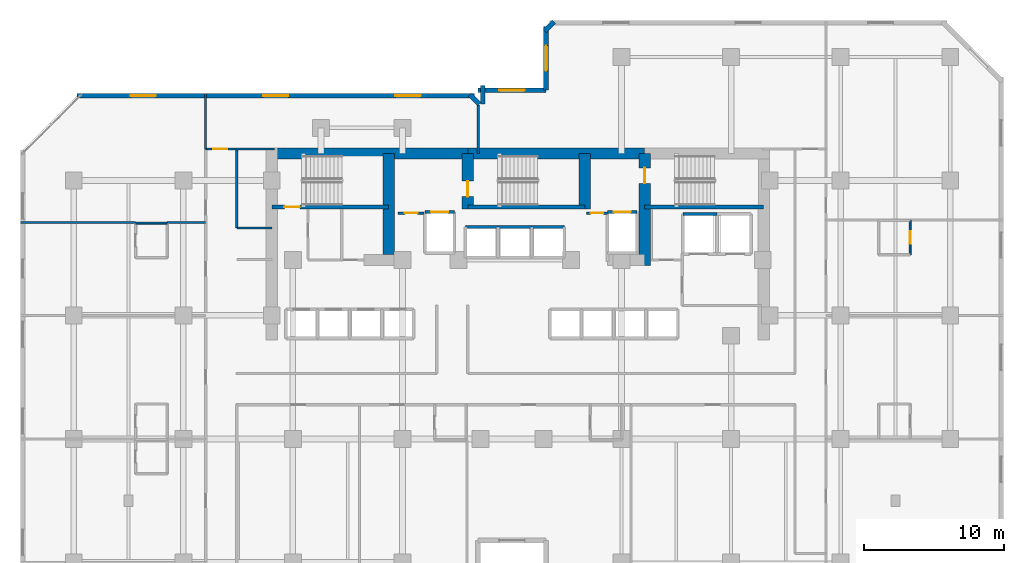
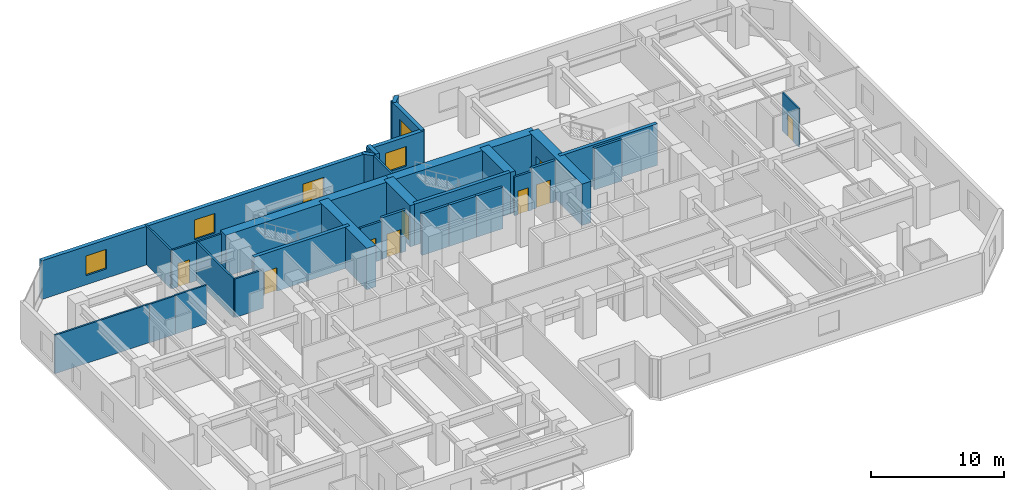
# One storey, part 9 of 12: 32 walls, 9 doors, 5 windows, 14 openings.
"""IFC4 building model written with IfcOpenShell, lengths in metres."""

from ifc_helpers import new_model, si_unit, direction, frame, frame_2d, origin, place, context, subcontext, project, spatial, rectangle, extrude, material, layer, layer_set, type_object, element, fill, save


model = new_model("IFC4")

# Units and contexts
model_context = context("Model", 3, precision=1e-05, world=origin(), true_north=direction((0.0, 1.0)))
body_context = subcontext(model_context, "Body", "Model", "MODEL_VIEW")
ifc_project = project(units=[si_unit("LENGTHUNIT", "METRE"), si_unit("AREAUNIT", "SQUARE_METRE"), si_unit("VOLUMEUNIT", "CUBIC_METRE"), si_unit("PLANEANGLEUNIT", "RADIAN"), si_unit("MASSUNIT", "GRAM", prefix="KILO")], contexts=[model_context])

# Site, building, storey
site_placement = place(None, origin())
site = spatial("IfcSite", under=ifc_project, at=site_placement, CompositionType="ELEMENT")
building_placement = place(site_placement, origin())
building = spatial("IfcBuilding", under=site, at=building_placement, Name="Kestravale Grand Hotel", CompositionType="ELEMENT")
storey_placement = place(building_placement, frame((0.0, 0.0, 99.39990234375)))
storey = spatial("IfcBuildingStorey", under=building, at=storey_placement, Name="L24", CompositionType="ELEMENT", Elevation=99.39990234375)

# Walls
ifc_material_1 = material(Name="Concrete f'c 60 MPa", Category="concrete")
ifc_layer_1 = layer(ifc_material_1, 0.800048828125)
ifc_layer_set_1 = layer_set([ifc_layer_1], Name="EW-CORE-800")
wall_type_1 = type_object("IfcWallType", Name="EW-CORE-800", PredefinedType="SHEAR", material=ifc_layer_set_1)
wall_1_placement = place(storey_placement, frame((21.5, 40.320068359375, 0.0), z_axis=(0.0, 0.0, 1.0), x_axis=(1.0, 0.0, 0.0)))
element("IfcWall", 1, at=wall_1_placement, inside=storey, type_object=wall_type_1, Name="L24 core shear wall N1", PredefinedType="SHEAR", context=body_context, shape_type="SweptSolid", body=[
    extrude(rectangle(XDim=14.35009765625, YDim=0.800048828125, at=frame_2d((7.175048828125, 0.0))), origin(), (0.0, 0.0, 1.0), 3.800048828125),
])
wall_2_placement = place(storey_placement, frame((35.85009765625, 40.320068359375, 0.0), z_axis=(0.0, 0.0, 1.0), x_axis=(1.0, 0.0, 0.0)))
element("IfcWall", 2, at=wall_2_placement, inside=storey, type_object=wall_type_1, Name="L24 core shear wall N2", PredefinedType="SHEAR", context=body_context, shape_type="SweptSolid", body=[
    extrude(rectangle(XDim=12.599853515625, YDim=0.800048828125, at=frame_2d((6.2998046875, 0.0))), origin(), (0.0, 0.0, 1.0), 3.800048828125),
])
wall_3_placement = place(storey_placement, frame((30.219970703125, 33.14990234375, 0.0), z_axis=(0.0, 0.0, 1.0), x_axis=(0.0, 1.0, 0.0)))
element("IfcWall", 3, at=wall_3_placement, inside=storey, type_object=wall_type_1, Name="L24 core shear wall X1", PredefinedType="SHEAR", context=body_context, shape_type="SweptSolid", body=[
    extrude(rectangle(XDim=7.170166015625, YDim=0.800048828125, at=frame_2d((3.5849609375, 0.0))), origin(), (0.0, 0.0, 1.0), 3.800048828125),
])

# Wall, opening, door
wall_4_placement = place(storey_placement, frame((35.85009765625, 36.3701171875, 0.0), z_axis=(0.0, 0.0, 1.0), x_axis=(0.0, 1.0, 0.0)))
wall_4 = element("IfcWall", 4, at=wall_4_placement, inside=storey, type_object=wall_type_1, Name="L24 core shear wall X2", PredefinedType="SHEAR", context=body_context, shape_type="SweptSolid", body=[
    extrude(rectangle(XDim=3.949951171875, YDim=0.800048828125, at=frame_2d((1.97509765625, 0.0))), origin(), (0.0, 0.0, 1.0), 3.800048828125),
])
opening_1_placement = place(wall_4_placement, frame((0.8798828125, 0.0, 0.0)))
opening_1 = element("IfcOpeningElement", 5, at=opening_1_placement, cuts=wall_4, Name="Opening D-ST-1100", PredefinedType="OPENING", context=body_context, shape_type="SweptSolid", body=[
    extrude(rectangle(XDim=1.10009765625, YDim=2.14990234375, at=frame_2d((0.550048828125, 1.074951171875))), frame((0.0, 0.409912109375, 0.0), z_axis=(0.0, -1.0, 0.0), x_axis=(1.0, 0.0, 0.0)), (0.0, 0.0, 1.0), 0.820068359375),
])
ifc_material_2 = material(Name="Galvanised 90-minute fire-rated steel stair door", Category="steel")
door_type_1 = type_object("IfcDoorType", Name="D-ST-1100", OperationType="NOTDEFINED", PredefinedType="DOOR", material=ifc_material_2)
door_1_placement = place(opening_1_placement, origin())
door_1 = element("IfcDoor", 6, at=door_1_placement, inside=storey, type_object=door_type_1, Name="L24 Stair ST-2 FSAE fire door", OperationType="SINGLE_SWING_RIGHT", OverallHeight=2.14990234375, OverallWidth=1.10009765625, PredefinedType="DOOR", context=body_context, shape_type="SweptSolid", body=[
    extrude(rectangle(XDim=1.10009765625, YDim=2.14990234375, at=frame_2d((0.550048828125, 1.074951171875))), frame((0.0, 0.02490234375, 0.0), z_axis=(0.0, -1.0, 0.0), x_axis=(1.0, 0.0, 0.0)), (0.0, 0.0, 1.0), 0.050048828125),
])
fill(opening_1, door_1)

# Wall
wall_5_placement = place(storey_placement, frame((44.179931640625, 36.3701171875, 0.0), z_axis=(0.0, 0.0, 1.0), x_axis=(0.0, 1.0, 0.0)))
element("IfcWall", 7, at=wall_5_placement, inside=storey, type_object=wall_type_1, Name="L24 core shear wall X3", PredefinedType="SHEAR", context=body_context, shape_type="SweptSolid", body=[
    extrude(rectangle(XDim=3.949951171875, YDim=0.800048828125, at=frame_2d((1.97509765625, 0.0))), origin(), (0.0, 0.0, 1.0), 3.800048828125),
])

# Wall, opening, door
wall_6_placement = place(storey_placement, frame((48.449951171875, 32.35009765625, 0.0), z_axis=(0.0, 0.0, 1.0), x_axis=(0.0, 1.0, 0.0)))
wall_6 = element("IfcWall", 8, at=wall_6_placement, inside=storey, type_object=wall_type_1, Name="L24 core shear wall X4", PredefinedType="SHEAR", context=body_context, shape_type="SweptSolid", body=[
    extrude(rectangle(XDim=7.969970703125, YDim=0.800048828125, at=frame_2d((3.98486328125, 0.0))), origin(), (0.0, 0.0, 1.0), 3.800048828125),
])
opening_2_placement = place(wall_6_placement, frame((5.85009765625, 0.0, 0.0)))
opening_2 = element("IfcOpeningElement", 9, at=opening_2_placement, cuts=wall_6, Name="Opening D-ST-1100", PredefinedType="OPENING", context=body_context, shape_type="SweptSolid", body=[
    extrude(rectangle(XDim=1.10009765625, YDim=2.14990234375, at=frame_2d((0.550048828125, 1.074951171875))), frame((0.0, 0.409912109375, 0.0), z_axis=(0.0, -1.0, 0.0), x_axis=(1.0, 0.0, 0.0)), (0.0, 0.0, 1.0), 0.820068359375),
])
door_2_placement = place(opening_2_placement, origin())
door_2 = element("IfcDoor", 10, at=door_2_placement, inside=storey, type_object=door_type_1, Name="L24 Stair ST-3 FSAE fire door", OperationType="SINGLE_SWING_RIGHT", OverallHeight=2.14990234375, OverallWidth=1.10009765625, PredefinedType="DOOR", context=body_context, shape_type="SweptSolid", body=[
    extrude(rectangle(XDim=1.10009765625, YDim=2.14990234375, at=frame_2d((0.550048828125, 1.074951171875))), frame((0.0, 0.02490234375, 0.0), z_axis=(0.0, -1.0, 0.0), x_axis=(1.0, 0.0, 0.0)), (0.0, 0.0, 1.0), 0.050048828125),
])
fill(opening_2, door_2)

# Wall
ifc_material_3 = material(Name="Precast concrete f'c 45 MPa", Category="concrete")
ifc_layer_2 = layer(ifc_material_3, 0.340087890625)
ifc_layer_set_2 = layer_set([ifc_layer_2], Name="EW-PREC-340")
wall_type_2 = type_object("IfcWallType", Name="EW-PREC-340", PredefinedType="SOLIDWALL", material=ifc_layer_set_2)
wall_7_placement = place(storey_placement, frame((41.99853515625, 49.7080078125, 0.0), z_axis=(0.0, 0.0, 1.0), x_axis=(-0.707238225886, -0.706975312048, 0.0)))
element("IfcWall", 11, at=wall_7_placement, inside=storey, type_object=wall_type_2, Name="L24 fluted precast facade wall 12", PredefinedType="SOLIDWALL", context=body_context, shape_type="SweptSolid", body=[
    extrude(rectangle(XDim=0.9287109375, YDim=0.340087890625, at=frame_2d((0.46435546875, 0.0))), origin(), (0.0, 0.0, 1.0), 3.5400390625),
])

# Wall, opening, window
wall_8_placement = place(storey_placement, frame((41.419921875, 49.3701171875, 0.0), z_axis=(0.0, 0.0, 1.0), x_axis=(0.0, -1.0, 0.0)))
wall_8 = element("IfcWall", 12, at=wall_8_placement, inside=storey, type_object=wall_type_2, Name="L24 fluted precast facade wall 13", PredefinedType="SOLIDWALL", context=body_context, shape_type="SweptSolid", body=[
    extrude(rectangle(XDim=4.5400390625, YDim=0.340087890625, at=frame_2d((2.27001953125, 0.0))), origin(), (0.0, 0.0, 1.0), 3.5400390625),
])
opening_3_placement = place(wall_8_placement, frame((1.3701171875, 0.0, 0.85009765625)))
opening_3 = element("IfcOpeningElement", 13, at=opening_3_placement, cuts=wall_8, Name="Opening W-GUEST-1800", PredefinedType="OPENING", context=body_context, shape_type="SweptSolid", body=[
    extrude(rectangle(XDim=1.800048828125, YDim=1.800048828125, at=frame_2d((0.89990234375, 0.89990234375))), frame((0.0, 0.179931640625, 0.0), z_axis=(0.0, -1.0, 0.0), x_axis=(1.0, 0.0, 0.0)), (0.0, 0.0, 1.0), 0.360107421875),
])
ifc_material_4 = material(Name="Insulated low-E double glazing in aluminium frame", Category="aluminium")
window_type = type_object("IfcWindowType", Name="W-GUEST-1800", PartitioningType="DOUBLE_PANEL_VERTICAL", PredefinedType="WINDOW", material=ifc_material_4)
window_1_placement = place(opening_3_placement, origin())
window_1 = element("IfcWindow", 14, at=window_1_placement, inside=storey, type_object=window_type, Name="L24 exterior window 13.1", OverallHeight=1.800048828125, OverallWidth=1.800048828125, PartitioningType="SINGLE_PANEL", PredefinedType="WINDOW", context=body_context, shape_type="SweptSolid", body=[
    extrude(rectangle(XDim=1.800048828125, YDim=1.800048828125, at=frame_2d((0.89990234375, 0.89990234375))), frame((0.0, 0.030029296875, 0.0), z_axis=(0.0, -1.0, 0.0), x_axis=(1.0, 0.0, 0.0)), (0.0, 0.0, 1.0), 0.06005859375),
])
fill(opening_3, window_1)

wall_9_placement = place(storey_placement, frame((41.419921875, 44.830078125, 0.0), z_axis=(0.0, 0.0, 1.0), x_axis=(-1.0, 0.0, 0.0)))
wall_9 = element("IfcWall", 15, at=wall_9_placement, inside=storey, type_object=wall_type_2, Name="L24 fluted precast facade wall 14", PredefinedType="SOLIDWALL", context=body_context, shape_type="SweptSolid", body=[
    extrude(rectangle(XDim=4.83984375, YDim=0.340087890625, at=frame_2d((2.419921875, 0.0))), origin(), (0.0, 0.0, 1.0), 3.5400390625),
])
opening_4_placement = place(wall_9_placement, frame((1.52001953125, 0.0, 0.85009765625)))
opening_4 = element("IfcOpeningElement", 16, at=opening_4_placement, cuts=wall_9, Name="Opening W-GUEST-1800", PredefinedType="OPENING", context=body_context, shape_type="SweptSolid", body=[
    extrude(rectangle(XDim=1.800048828125, YDim=1.800048828125, at=frame_2d((0.89990234375, 0.89990234375))), frame((0.0, 0.179931640625, 0.0), z_axis=(0.0, -1.0, 0.0), x_axis=(1.0, 0.0, 0.0)), (0.0, 0.0, 1.0), 0.360107421875),
])
window_2_placement = place(opening_4_placement, origin())
window_2 = element("IfcWindow", 17, at=window_2_placement, inside=storey, type_object=window_type, Name="L24 exterior window 14.1", OverallHeight=1.800048828125, OverallWidth=1.800048828125, PartitioningType="SINGLE_PANEL", PredefinedType="WINDOW", context=body_context, shape_type="SweptSolid", body=[
    extrude(rectangle(XDim=1.800048828125, YDim=1.800048828125, at=frame_2d((0.89990234375, 0.89990234375))), frame((0.0, 0.030029296875, 0.0), z_axis=(0.0, -1.0, 0.0), x_axis=(1.0, 0.0, 0.0)), (0.0, 0.0, 1.0), 0.06005859375),
])
fill(opening_4, window_2)

# Walls
wall_10_placement = place(storey_placement, frame((36.919921875, 45.169921875, 0.0), z_axis=(0.0, 0.0, 1.0), x_axis=(0.0, -1.0, 0.0)))
element("IfcWall", 18, at=wall_10_placement, inside=storey, type_object=wall_type_2, Name="L24 fluted precast facade wall 15", PredefinedType="SOLIDWALL", context=body_context, shape_type="SweptSolid", body=[
    extrude(rectangle(XDim=1.33984375, YDim=0.340087890625, at=frame_2d((0.669921875, 0.0))), origin(), (0.0, 0.0, 1.0), 3.5400390625),
])
wall_11_placement = place(storey_placement, frame((36.658203125, 43.8515625, 0.0), z_axis=(0.0, 0.0, 1.0), x_axis=(-0.707238225886, 0.706975312048, 0.0)))
element("IfcWall", 19, at=wall_11_placement, inside=storey, type_object=wall_type_2, Name="L24 fluted precast facade wall 16", PredefinedType="SOLIDWALL", context=body_context, shape_type="SweptSolid", body=[
    extrude(rectangle(XDim=0.9287109375, YDim=0.340087890625, at=frame_2d((0.46435546875, 0.0))), origin(), (0.0, 0.0, 1.0), 3.5400390625),
])

# Wall, openings, windows
wall_12_placement = place(storey_placement, frame((36.320068359375, 44.429931640625, 0.0), z_axis=(0.0, 0.0, 1.0), x_axis=(-1.0, 0.0, 0.0)))
wall_12 = element("IfcWall", 20, at=wall_12_placement, inside=storey, type_object=wall_type_2, Name="L24 fluted precast facade wall 17", PredefinedType="SOLIDWALL", context=body_context, shape_type="SweptSolid", body=[
    extrude(rectangle(XDim=28.2900390625, YDim=0.340087890625, at=frame_2d((14.14501953125, 0.0))), origin(), (0.0, 0.0, 1.0), 3.5400390625),
])
opening_5_placement = place(wall_12_placement, frame((3.81494140625, 0.0, 0.85009765625)))
opening_5 = element("IfcOpeningElement", 21, at=opening_5_placement, cuts=wall_12, Name="Opening W-GUEST-1800", PredefinedType="OPENING", context=body_context, shape_type="SweptSolid", body=[
    extrude(rectangle(XDim=1.800048828125, YDim=1.800048828125, at=frame_2d((0.89990234375, 0.89990234375))), frame((0.0, 0.179931640625, 0.0), z_axis=(0.0, -1.0, 0.0), x_axis=(1.0, 0.0, 0.0)), (0.0, 0.0, 1.0), 0.360107421875),
])
opening_6_placement = place(wall_12_placement, frame((13.2451171875, 0.0, 0.85009765625)))
opening_6 = element("IfcOpeningElement", 22, at=opening_6_placement, cuts=wall_12, Name="Opening W-GUEST-1800", PredefinedType="OPENING", context=body_context, shape_type="SweptSolid", body=[
    extrude(rectangle(XDim=1.800048828125, YDim=1.800048828125, at=frame_2d((0.89990234375, 0.89990234375))), frame((0.0, 0.179931640625, 0.0), z_axis=(0.0, -1.0, 0.0), x_axis=(1.0, 0.0, 0.0)), (0.0, 0.0, 1.0), 0.360107421875),
])
opening_7_placement = place(wall_12_placement, frame((22.675048828125, 0.0, 0.85009765625)))
opening_7 = element("IfcOpeningElement", 23, at=opening_7_placement, cuts=wall_12, Name="Opening W-GUEST-1800", PredefinedType="OPENING", context=body_context, shape_type="SweptSolid", body=[
    extrude(rectangle(XDim=1.800048828125, YDim=1.800048828125, at=frame_2d((0.89990234375, 0.89990234375))), frame((0.0, 0.179931640625, 0.0), z_axis=(0.0, -1.0, 0.0), x_axis=(1.0, 0.0, 0.0)), (0.0, 0.0, 1.0), 0.360107421875),
])
window_3_placement = place(opening_5_placement, origin())
window_3 = element("IfcWindow", 24, at=window_3_placement, inside=storey, type_object=window_type, Name="L24 exterior window 17.1", OverallHeight=1.800048828125, OverallWidth=1.800048828125, PartitioningType="SINGLE_PANEL", PredefinedType="WINDOW", context=body_context, shape_type="SweptSolid", body=[
    extrude(rectangle(XDim=1.800048828125, YDim=1.800048828125, at=frame_2d((0.89990234375, 0.89990234375))), frame((0.0, 0.030029296875, 0.0), z_axis=(0.0, -1.0, 0.0), x_axis=(1.0, 0.0, 0.0)), (0.0, 0.0, 1.0), 0.06005859375),
])
fill(opening_5, window_3)
window_4_placement = place(opening_6_placement, origin())
window_4 = element("IfcWindow", 25, at=window_4_placement, inside=storey, type_object=window_type, Name="L24 exterior window 17.2", OverallHeight=1.800048828125, OverallWidth=1.800048828125, PartitioningType="SINGLE_PANEL", PredefinedType="WINDOW", context=body_context, shape_type="SweptSolid", body=[
    extrude(rectangle(XDim=1.800048828125, YDim=1.800048828125, at=frame_2d((0.89990234375, 0.89990234375))), frame((0.0, 0.030029296875, 0.0), z_axis=(0.0, -1.0, 0.0), x_axis=(1.0, 0.0, 0.0)), (0.0, 0.0, 1.0), 0.06005859375),
])
fill(opening_6, window_4)
window_5_placement = place(opening_7_placement, origin())
window_5 = element("IfcWindow", 26, at=window_5_placement, inside=storey, type_object=window_type, Name="L24 exterior window 17.3", OverallHeight=1.800048828125, OverallWidth=1.800048828125, PartitioningType="SINGLE_PANEL", PredefinedType="WINDOW", context=body_context, shape_type="SweptSolid", body=[
    extrude(rectangle(XDim=1.800048828125, YDim=1.800048828125, at=frame_2d((0.89990234375, 0.89990234375))), frame((0.0, 0.030029296875, 0.0), z_axis=(0.0, -1.0, 0.0), x_axis=(1.0, 0.0, 0.0)), (0.0, 0.0, 1.0), 0.06005859375),
])
fill(opening_7, window_5)

# Wall, opening, door
ifc_material_5 = material(Name="Concrete f'c 45 MPa", Category="concrete")
ifc_layer_3 = layer(ifc_material_5, 0.300048828125)
ifc_layer_set_3 = layer_set([ifc_layer_3], Name="EW-STAIR-300")
wall_type_3 = type_object("IfcWallType", Name="EW-STAIR-300", PredefinedType="SHEAR", material=ifc_layer_set_3)
wall_13_placement = place(storey_placement, frame((21.89990234375, 36.52001953125, 0.0), z_axis=(0.0, 0.0, 1.0), x_axis=(1.0, 0.0, 0.0)))
wall_13 = element("IfcWall", 27, at=wall_13_placement, inside=storey, type_object=wall_type_3, Name="L24 stair enclosure shear wall SST1", PredefinedType="SHEAR", context=body_context, shape_type="SweptSolid", body=[
    extrude(rectangle(XDim=8.320068359375, YDim=0.300048828125, at=frame_2d((4.16015625, 0.0))), origin(), (0.0, 0.0, 1.0), 3.800048828125),
])
opening_8_placement = place(wall_13_placement, frame((0.89990234375, 0.0, 0.0)))
opening_8 = element("IfcOpeningElement", 28, at=opening_8_placement, cuts=wall_13, Name="Opening D-ST-1100", PredefinedType="OPENING", context=body_context, shape_type="SweptSolid", body=[
    extrude(rectangle(XDim=1.10009765625, YDim=2.14990234375, at=frame_2d((0.550048828125, 1.074951171875))), frame((0.0, 0.159912109375, 0.0), z_axis=(0.0, -1.0, 0.0), x_axis=(1.0, 0.0, 0.0)), (0.0, 0.0, 1.0), 0.320068359375),
])
door_3_placement = place(opening_8_placement, origin())
door_3 = element("IfcDoor", 29, at=door_3_placement, inside=storey, type_object=door_type_1, Name="L24 Stair ST-1 fire door", OperationType="SINGLE_SWING_RIGHT", OverallHeight=2.14990234375, OverallWidth=1.10009765625, PredefinedType="DOOR", context=body_context, shape_type="SweptSolid", body=[
    extrude(rectangle(XDim=1.10009765625, YDim=2.14990234375, at=frame_2d((0.550048828125, 1.074951171875))), frame((0.0, 0.02490234375, 0.0), z_axis=(0.0, -1.0, 0.0), x_axis=(1.0, 0.0, 0.0)), (0.0, 0.0, 1.0), 0.050048828125),
])
fill(opening_8, door_3)

# Walls
wall_14_placement = place(storey_placement, frame((35.85009765625, 36.52001953125, 0.0), z_axis=(0.0, 0.0, 1.0), x_axis=(1.0, 0.0, 0.0)))
element("IfcWall", 30, at=wall_14_placement, inside=storey, type_object=wall_type_3, Name="L24 stair enclosure shear wall SST2", PredefinedType="SHEAR", context=body_context, shape_type="SweptSolid", body=[
    extrude(rectangle(XDim=8.329833984375, YDim=0.300048828125, at=frame_2d((4.1650390625, 0.0))), origin(), (0.0, 0.0, 1.0), 3.800048828125),
])
wall_15_placement = place(storey_placement, frame((48.449951171875, 36.52001953125, 0.0), z_axis=(0.0, 0.0, 1.0), x_axis=(1.0, 0.0, 0.0)))
element("IfcWall", 31, at=wall_15_placement, inside=storey, type_object=wall_type_3, Name="L24 stair enclosure shear wall SST3", PredefinedType="SHEAR", context=body_context, shape_type="SweptSolid", body=[
    extrude(rectangle(XDim=8.469970703125, YDim=0.300048828125, at=frame_2d((4.23486328125, 0.0))), origin(), (0.0, 0.0, 1.0), 3.800048828125),
])
ifc_material_6 = material(Name="Acoustic fire-rated gypsum board partition", Category="other")
ifc_layer_4 = layer(ifc_material_6, 0.159912109375)
ifc_layer_set_4 = layer_set([ifc_layer_4], Name="IW-CORR-160")
wall_type_4 = type_object("IfcWallType", Name="IW-CORR-160", PredefinedType="PARTITIONING", material=ifc_layer_set_4)
wall_16_placement = place(storey_placement, frame((19.409912109375, 35.02001953125, 0.0), z_axis=(0.0, 0.0, 1.0), x_axis=(0.0, 1.0, 0.0)))
element("IfcWall", 32, at=wall_16_placement, inside=storey, type_object=wall_type_4, Name="W-L24-SW-EN", PredefinedType="PARTITIONING", context=body_context, shape_type="SweptSolid", body=[
    extrude(rectangle(XDim=5.6298828125, YDim=0.159912109375, at=frame_2d((2.81494140625, 0.0))), origin(), (0.0, 0.0, 1.0), 3.5400390625),
])
wall_17_placement = place(storey_placement, frame((19.409912109375, 35.02001953125, 0.0), z_axis=(0.0, 0.0, 1.0), x_axis=(1.0, 0.0, 0.0)))
element("IfcWall", 33, at=wall_17_placement, inside=storey, type_object=wall_type_4, Name="W-L24-SW-CN", PredefinedType="PARTITIONING", context=body_context, shape_type="SweptSolid", body=[
    extrude(rectangle(XDim=2.489990234375, YDim=0.159912109375, at=frame_2d((1.2451171875, 0.0))), origin(), (0.0, 0.0, 1.0), 3.5400390625),
])

# Wall, opening, door
ifc_material_7 = material(Name="Fire-rated gypsum board on steel studs with mineral wool", Category="steel")
ifc_layer_5 = layer(ifc_material_7, 0.179931640625)
ifc_layer_set_5 = layer_set([ifc_layer_5], Name="IW-FSAE-180")
wall_type_5 = type_object("IfcWallType", Name="IW-FSAE-180", PredefinedType="PARTITIONING", material=ifc_layer_set_5)
wall_18_placement = place(storey_placement, frame((30.89990234375, 36.080078125, 0.0), z_axis=(0.0, 0.0, 1.0), x_axis=(1.0, 0.0, 0.0)))
wall_18 = element("IfcWall", 34, at=wall_18_placement, inside=storey, type_object=wall_type_5, Name="L24 FSAE Lobby 1 smoke barrier", PredefinedType="PARTITIONING", context=body_context, shape_type="SweptSolid", body=[
    extrude(rectangle(XDim=1.85009765625, YDim=0.179931640625, at=frame_2d((0.925048828125, 0.0))), origin(), (0.0, 0.0, 1.0), 3.5400390625),
])
opening_9_placement = place(wall_18_placement, frame((0.47998046875, 0.0, 0.0)))
opening_9 = element("IfcOpeningElement", 35, at=opening_9_placement, cuts=wall_18, Name="Opening D-FSAE-1000", PredefinedType="OPENING", context=body_context, shape_type="SweptSolid", body=[
    extrude(rectangle(XDim=0.89990234375, YDim=2.14990234375, at=frame_2d((0.449951171875, 1.074951171875))), frame((0.0, 0.099853515625, 0.0), z_axis=(0.0, -1.0, 0.0), x_axis=(1.0, 0.0, 0.0)), (0.0, 0.0, 1.0), 0.199951171875),
])
ifc_material_8 = material(Name="Smoke-gasketed FSAE lobby fire door", Category="steel")
door_type_2 = type_object("IfcDoorType", Name="D-FSAE-1000", OperationType="NOTDEFINED", PredefinedType="DOOR", material=ifc_material_8)
door_4_placement = place(opening_9_placement, origin())
door_4 = element("IfcDoor", 36, at=door_4_placement, inside=storey, type_object=door_type_2, Name="L24 FSAE Lobby 1 fire door", OperationType="SINGLE_SWING_RIGHT", OverallHeight=2.14990234375, OverallWidth=0.89990234375, PredefinedType="DOOR", context=body_context, shape_type="SweptSolid", body=[
    extrude(rectangle(XDim=0.89990234375, YDim=2.14990234375, at=frame_2d((0.449951171875, 1.074951171875))), frame((0.0, 0.02490234375, 0.0), z_axis=(0.0, -1.0, 0.0), x_axis=(1.0, 0.0, 0.0)), (0.0, 0.0, 1.0), 0.050048828125),
])
fill(opening_9, door_4)

wall_19_placement = place(storey_placement, frame((44.300048828125, 36.080078125, 0.0), z_axis=(0.0, 0.0, 1.0), x_axis=(1.0, 0.0, 0.0)))
wall_19 = element("IfcWall", 37, at=wall_19_placement, inside=storey, type_object=wall_type_5, Name="L24 FSAE Lobby 2 smoke barrier", PredefinedType="PARTITIONING", context=body_context, shape_type="SweptSolid", body=[
    extrude(rectangle(XDim=1.5, YDim=0.179931640625, at=frame_2d((0.75, 0.0))), origin(), (0.0, 0.0, 1.0), 3.5400390625),
])
opening_10_placement = place(wall_19_placement, frame((0.300048828125, 0.0, 0.0)))
opening_10 = element("IfcOpeningElement", 38, at=opening_10_placement, cuts=wall_19, Name="Opening D-FSAE-1000", PredefinedType="OPENING", context=body_context, shape_type="SweptSolid", body=[
    extrude(rectangle(XDim=0.89990234375, YDim=2.14990234375, at=frame_2d((0.449951171875, 1.074951171875))), frame((0.0, 0.099853515625, 0.0), z_axis=(0.0, -1.0, 0.0), x_axis=(1.0, 0.0, 0.0)), (0.0, 0.0, 1.0), 0.199951171875),
])
door_5_placement = place(opening_10_placement, origin())
door_5 = element("IfcDoor", 39, at=door_5_placement, inside=storey, type_object=door_type_2, Name="L24 FSAE Lobby 2 fire door", OperationType="SINGLE_SWING_LEFT", OverallHeight=2.14990234375, OverallWidth=0.89990234375, PredefinedType="DOOR", context=body_context, shape_type="SweptSolid", body=[
    extrude(rectangle(XDim=0.89990234375, YDim=2.14990234375, at=frame_2d((0.449951171875, 1.074951171875))), frame((0.0, 0.02490234375, 0.0), z_axis=(0.0, -1.0, 0.0), x_axis=(1.0, 0.0, 0.0)), (0.0, 0.0, 1.0), 0.050048828125),
])
fill(opening_10, door_5)

# Wall
ifc_material_9 = material(Name="Moisture-resistant tile-backer plumbing chase wall", Category="other")
ifc_layer_6 = layer(ifc_material_9, 0.139892578125)
ifc_layer_set_6 = layer_set([ifc_layer_6], Name="IW-PLB-140")
wall_type_6 = type_object("IfcWallType", Name="IW-PLB-140", PredefinedType="PLUMBINGWALL", material=ifc_layer_set_6)
wall_20_placement = place(storey_placement, frame((12.199951171875, 35.360107421875, 0.0), z_axis=(0.0, 0.0, 1.0), x_axis=(1.0, 0.0, 0.0)))
element("IfcWall", 40, at=wall_20_placement, inside=storey, type_object=wall_type_6, Name="W-L24-U06-BN", PredefinedType="PLUMBINGWALL", context=body_context, shape_type="SweptSolid", body=[
    extrude(rectangle(XDim=2.25, YDim=0.139892578125, at=frame_2d((1.125, 0.0))), origin(), (0.0, 0.0, 1.0), 3.5400390625),
])

# Wall, opening, door
wall_21_placement = place(storey_placement, frame((67.35009765625, 33.110107421875, 0.0), z_axis=(0.0, 0.0, 1.0), x_axis=(0.0, 1.0, 0.0)))
wall_21 = element("IfcWall", 41, at=wall_21_placement, inside=storey, type_object=wall_type_6, Name="W-L24-U09-BE", PredefinedType="PLUMBINGWALL", context=body_context, shape_type="SweptSolid", body=[
    extrude(rectangle(XDim=2.449951171875, YDim=0.139892578125, at=frame_2d((1.22509765625, 0.0))), origin(), (0.0, 0.0, 1.0), 3.5400390625),
])
opening_11_placement = place(wall_21_placement, frame((0.784912109375, 0.0, 0.0)))
opening_11 = element("IfcOpeningElement", 42, at=opening_11_placement, cuts=wall_21, Name="Opening D-BATH-880", PredefinedType="OPENING", context=body_context, shape_type="SweptSolid", body=[
    extrude(rectangle(XDim=0.8798828125, YDim=2.050048828125, at=frame_2d((0.43994140625, 1.02490234375))), frame((0.0, 0.079833984375, 0.0), z_axis=(0.0, -1.0, 0.0), x_axis=(1.0, 0.0, 0.0)), (0.0, 0.0, 1.0), 0.159912109375),
])
ifc_material_10 = material(Name="Moisture-sealed walnut en-suite bathroom door", Category="wood")
door_type_3 = type_object("IfcDoorType", Name="D-BATH-880", OperationType="NOTDEFINED", PredefinedType="DOOR", material=ifc_material_10)
door_6_placement = place(opening_11_placement, origin())
door_6 = element("IfcDoor", 43, at=door_6_placement, inside=storey, type_object=door_type_3, Name="D-L24-U09-BATH", OperationType="SINGLE_SWING_RIGHT", OverallHeight=2.050048828125, OverallWidth=0.8798828125, PredefinedType="DOOR", context=body_context, shape_type="SweptSolid", body=[
    extrude(rectangle(XDim=0.8798828125, YDim=2.050048828125, at=frame_2d((0.43994140625, 1.02490234375))), frame((0.0, 0.02490234375, 0.0), z_axis=(0.0, -1.0, 0.0), x_axis=(1.0, 0.0, 0.0)), (0.0, 0.0, 1.0), 0.050048828125),
])
fill(opening_11, door_6)

# Walls
ifc_material_11 = material(Name="Concrete f'c 45 MPa", Category="concrete")
ifc_layer_7 = layer(ifc_material_11, 0.219970703125)
ifc_layer_set_7 = layer_set([ifc_layer_7], Name="IW-SHAFT-220")
wall_type_7 = type_object("IfcWallType", Name="IW-SHAFT-220", PredefinedType="SHEAR", material=ifc_layer_set_7)
wall_22_placement = place(storey_placement, frame((35.679931640625, 35.080078125, 0.0), z_axis=(0.0, 0.0, 1.0), x_axis=(1.0, 0.0, 0.0)))
element("IfcWall", 44, at=wall_22_placement, inside=storey, type_object=wall_type_7, Name="L24 PL-X1 north shaft wall", PredefinedType="SHEAR", context=body_context, shape_type="SweptSolid", body=[
    extrude(rectangle(XDim=2.320068359375, YDim=0.219970703125, at=frame_2d((1.16015625, 0.0))), origin(), (0.0, 0.0, 1.0), 3.800048828125),
])
wall_23_placement = place(storey_placement, frame((38.0, 35.080078125, 0.0), z_axis=(0.0, 0.0, 1.0), x_axis=(1.0, 0.0, 0.0)))
element("IfcWall", 45, at=wall_23_placement, inside=storey, type_object=wall_type_7, Name="L24 PL-X2 north shaft wall", PredefinedType="SHEAR", context=body_context, shape_type="SweptSolid", body=[
    extrude(rectangle(XDim=2.39990234375, YDim=0.219970703125, at=frame_2d((1.199951171875, 0.0))), origin(), (0.0, 0.0, 1.0), 3.800048828125),
])
wall_24_placement = place(storey_placement, frame((40.39990234375, 35.080078125, 0.0), z_axis=(0.0, 0.0, 1.0), x_axis=(1.0, 0.0, 0.0)))
element("IfcWall", 46, at=wall_24_placement, inside=storey, type_object=wall_type_7, Name="L24 PL-X3 north shaft wall", PredefinedType="SHEAR", context=body_context, shape_type="SweptSolid", body=[
    extrude(rectangle(XDim=2.320068359375, YDim=0.219970703125, at=frame_2d((1.16015625, 0.0))), origin(), (0.0, 0.0, 1.0), 3.800048828125),
])
wall_25_placement = place(storey_placement, frame((51.179931640625, 36.030029296875, 0.0), z_axis=(0.0, 0.0, 1.0), x_axis=(1.0, 0.0, 0.0)))
element("IfcWall", 47, at=wall_25_placement, inside=storey, type_object=wall_type_7, Name="L24 SL-1 north shaft wall", PredefinedType="SHEAR", context=body_context, shape_type="SweptSolid", body=[
    extrude(rectangle(XDim=2.420166015625, YDim=0.219970703125, at=frame_2d((1.2099609375, 0.0))), origin(), (0.0, 0.0, 1.0), 3.800048828125),
])

# Wall, opening, door
wall_26_placement = place(storey_placement, frame((32.804931640625, 36.155029296875, 0.0), z_axis=(0.0, 0.0, 1.0), x_axis=(1.0, 0.0, 0.0)))
wall_26 = element("IfcWall", 48, at=wall_26_placement, inside=storey, type_object=wall_type_7, Name="L24 FL-1 north shaft wall", PredefinedType="SHEAR", context=body_context, shape_type="SweptSolid", body=[
    extrude(rectangle(XDim=2.090087890625, YDim=0.219970703125, at=frame_2d((1.044921875, 0.0))), origin(), (0.0, 0.0, 1.0), 3.800048828125),
])
opening_12_placement = place(wall_26_placement, frame((0.445068359375, 0.0, 0.0)))
opening_12 = element("IfcOpeningElement", 49, at=opening_12_placement, cuts=wall_26, Name="Opening LD-FSAE-1200", PredefinedType="OPENING", context=body_context, shape_type="SweptSolid", body=[
    extrude(rectangle(XDim=1.199951171875, YDim=2.14990234375, at=frame_2d((0.60009765625, 1.074951171875))), frame((0.0, 0.119873046875, 0.0), z_axis=(0.0, -1.0, 0.0), x_axis=(1.0, 0.0, 0.0)), (0.0, 0.0, 1.0), 0.239990234375),
])
ifc_material_12 = material(Name="Stainless fire-service sliding elevator landing door", Category="steel")
door_type_4 = type_object("IfcDoorType", Name="LD-FSAE-1200", OperationType="NOTDEFINED", PredefinedType="DOOR", material=ifc_material_12)
door_7_placement = place(opening_12_placement, origin())
door_7 = element("IfcDoor", 50, at=door_7_placement, inside=storey, type_object=door_type_4, Name="L24 FL-1 elevator landing sliding door", OperationType="DOUBLE_DOOR_SLIDING", OverallHeight=2.14990234375, OverallWidth=1.199951171875, PredefinedType="DOOR", context=body_context, shape_type="SweptSolid", body=[
    extrude(rectangle(XDim=1.199951171875, YDim=2.14990234375, at=frame_2d((0.60009765625, 1.074951171875))), frame((0.0, 0.02490234375, 0.0), z_axis=(0.0, -1.0, 0.0), x_axis=(1.0, 0.0, 0.0)), (0.0, 0.0, 1.0), 0.050048828125),
])
fill(opening_12, door_7)

wall_27_placement = place(storey_placement, frame((45.804931640625, 36.155029296875, 0.0), z_axis=(0.0, 0.0, 1.0), x_axis=(1.0, 0.0, 0.0)))
wall_27 = element("IfcWall", 51, at=wall_27_placement, inside=storey, type_object=wall_type_7, Name="L24 FL-2 north shaft wall", PredefinedType="SHEAR", context=body_context, shape_type="SweptSolid", body=[
    extrude(rectangle(XDim=2.090087890625, YDim=0.219970703125, at=frame_2d((1.044921875, 0.0))), origin(), (0.0, 0.0, 1.0), 3.800048828125),
])
opening_13_placement = place(wall_27_placement, frame((0.445068359375, 0.0, 0.0)))
opening_13 = element("IfcOpeningElement", 52, at=opening_13_placement, cuts=wall_27, Name="Opening LD-FSAE-1200", PredefinedType="OPENING", context=body_context, shape_type="SweptSolid", body=[
    extrude(rectangle(XDim=1.199951171875, YDim=2.14990234375, at=frame_2d((0.60009765625, 1.074951171875))), frame((0.0, 0.119873046875, 0.0), z_axis=(0.0, -1.0, 0.0), x_axis=(1.0, 0.0, 0.0)), (0.0, 0.0, 1.0), 0.239990234375),
])
door_8_placement = place(opening_13_placement, origin())
door_8 = element("IfcDoor", 53, at=door_8_placement, inside=storey, type_object=door_type_4, Name="L24 FL-2 elevator landing sliding door", OperationType="DOUBLE_DOOR_SLIDING", OverallHeight=2.14990234375, OverallWidth=1.199951171875, PredefinedType="DOOR", context=body_context, shape_type="SweptSolid", body=[
    extrude(rectangle(XDim=1.199951171875, YDim=2.14990234375, at=frame_2d((0.60009765625, 1.074951171875))), frame((0.0, 0.02490234375, 0.0), z_axis=(0.0, -1.0, 0.0), x_axis=(1.0, 0.0, 0.0)), (0.0, 0.0, 1.0), 0.050048828125),
])
fill(opening_13, door_8)

ifc_material_13 = material(Name="Double-stud STC 52 acoustic demising partition", Category="other")
ifc_layer_8 = layer(ifc_material_13, 0.14990234375)
ifc_layer_set_8 = layer_set([ifc_layer_8], Name="IW-UNIT-150")
wall_type_8 = type_object("IfcWallType", Name="IW-UNIT-150", PredefinedType="PARTITIONING", material=ifc_layer_set_8)
wall_28_placement = place(storey_placement, frame((17.18994140625, 40.64990234375, 0.0), z_axis=(0.0, 0.0, 1.0), x_axis=(1.0, 0.0, 0.0)))
wall_28 = element("IfcWall", 54, at=wall_28_placement, inside=storey, type_object=wall_type_8, Name="W-L24-SW-N", PredefinedType="PARTITIONING", context=body_context, shape_type="SweptSolid", body=[
    extrude(rectangle(XDim=4.91015625, YDim=0.14990234375, at=frame_2d((2.455078125, 0.0))), origin(), (0.0, 0.0, 1.0), 3.5400390625),
])
opening_14_placement = place(wall_28_placement, frame((0.550048828125, 0.0, 0.0)))
opening_14 = element("IfcOpeningElement", 55, at=opening_14_placement, cuts=wall_28, Name="Opening D-GUEST-1000", PredefinedType="OPENING", context=body_context, shape_type="SweptSolid", body=[
    extrude(rectangle(XDim=1.0, YDim=2.14990234375, at=frame_2d((0.5, 1.074951171875))), frame((0.0, 0.0849609375, 0.0), z_axis=(0.0, -1.0, 0.0), x_axis=(1.0, 0.0, 0.0)), (0.0, 0.0, 1.0), 0.169921875),
])
ifc_material_14 = material(Name="Accessible walnut veneer hotel entrance fire door", Category="wood")
door_type_5 = type_object("IfcDoorType", Name="D-GUEST-1000", OperationType="NOTDEFINED", PredefinedType="DOOR", material=ifc_material_14)
door_9_placement = place(opening_14_placement, origin())
door_9 = element("IfcDoor", 56, at=door_9_placement, inside=storey, type_object=door_type_5, Name="L24 NW Gallery Door", OperationType="SINGLE_SWING_RIGHT", OverallHeight=2.14990234375, OverallWidth=1.0, PredefinedType="DOOR", context=body_context, shape_type="SweptSolid", body=[
    extrude(rectangle(XDim=1.0, YDim=2.14990234375, at=frame_2d((0.5, 1.074951171875))), frame((0.0, 0.02490234375, 0.0), z_axis=(0.0, -1.0, 0.0), x_axis=(1.0, 0.0, 0.0)), (0.0, 0.0, 1.0), 0.050048828125),
])
fill(opening_14, door_9)

# Walls
wall_29_placement = place(storey_placement, frame((17.18994140625, 40.64990234375, 0.0), z_axis=(0.0, 0.0, 1.0), x_axis=(0.0, 1.0, 0.0)))
element("IfcWall", 57, at=wall_29_placement, inside=storey, type_object=wall_type_8, Name="W-L24-NGW-W", PredefinedType="PARTITIONING", context=body_context, shape_type="SweptSolid", body=[
    extrude(rectangle(XDim=3.93017578125, YDim=0.14990234375, at=frame_2d((1.965087890625, 0.0))), origin(), (0.0, 0.0, 1.0), 3.5400390625),
])
wall_30_placement = place(storey_placement, frame((36.60009765625, 40.320068359375, 0.0), z_axis=(0.0, 0.0, 1.0), x_axis=(0.0, 1.0, 0.0)))
element("IfcWall", 58, at=wall_30_placement, inside=storey, type_object=wall_type_8, Name="W-L24-NGM", PredefinedType="PARTITIONING", context=body_context, shape_type="SweptSolid", body=[
    extrude(rectangle(XDim=3.445068359375, YDim=0.14990234375, at=frame_2d((1.72265625, 0.0))), origin(), (0.0, 0.0, 1.0), 3.5400390625),
])
wall_31_placement = place(storey_placement, frame((4.02001953125, 35.39990234375, 0.0), z_axis=(0.0, 0.0, 1.0), x_axis=(1.0, 0.0, 0.0)))
element("IfcWall", 59, at=wall_31_placement, inside=storey, type_object=wall_type_8, Name="W-L24-WW-4", PredefinedType="PARTITIONING", context=body_context, shape_type="SweptSolid", body=[
    extrude(rectangle(XDim=8.179931640625, YDim=0.14990234375, at=frame_2d((4.08984375, 0.0))), origin(), (0.0, 0.0, 1.0), 3.5400390625),
])
wall_32_placement = place(storey_placement, frame((14.449951171875, 35.39990234375, 0.0), z_axis=(0.0, 0.0, 1.0), x_axis=(1.0, 0.0, 0.0)))
element("IfcWall", 60, at=wall_32_placement, inside=storey, type_object=wall_type_8, Name="W-L24-WW-4", PredefinedType="PARTITIONING", context=body_context, shape_type="SweptSolid", body=[
    extrude(rectangle(XDim=2.739990234375, YDim=0.14990234375, at=frame_2d((1.3701171875, 0.0))), origin(), (0.0, 0.0, 1.0), 3.5400390625),
])

save(model, "model.ifc")
